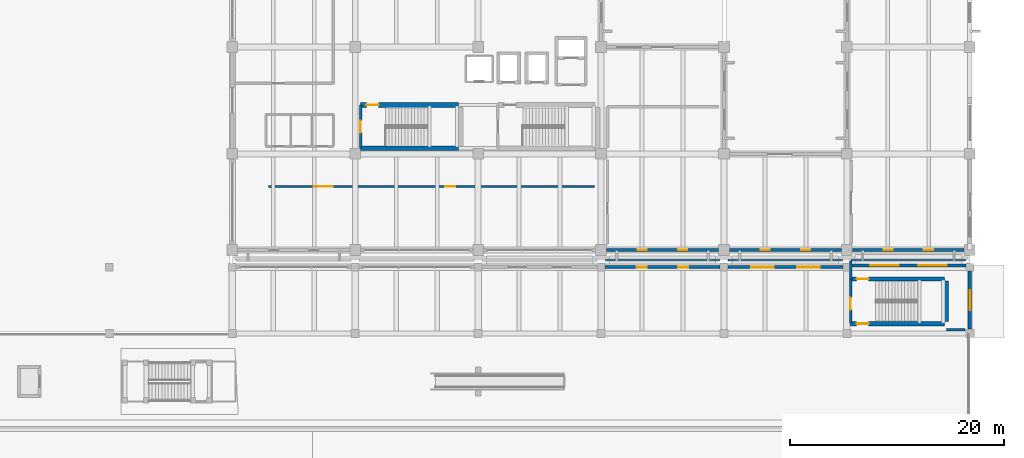
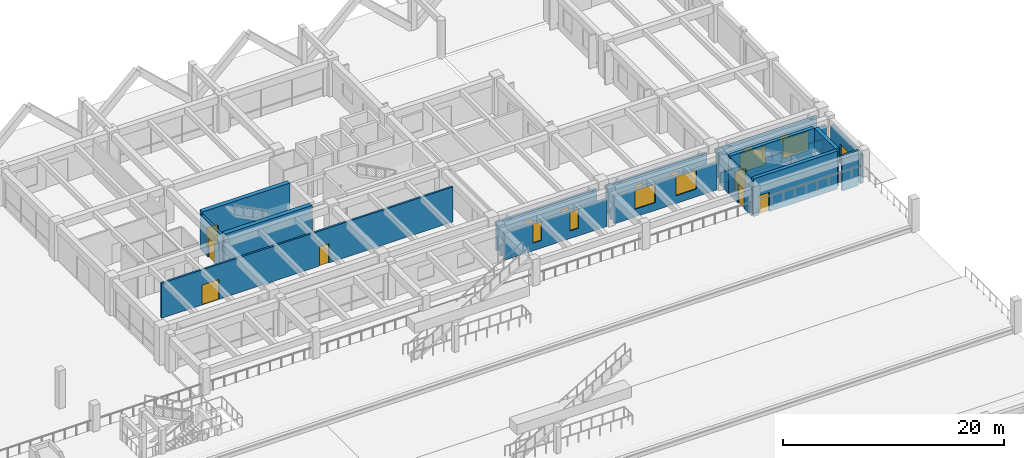
# One storey, part 90 of 109: 20 walls, 12 windows, 8 doors, 20 openings.
"""IFC4 building model written with IfcOpenShell, lengths in metres."""

from ifc_helpers import new_model, si_unit, direction, frame, frame_2d, origin, place, context, subcontext, project, spatial, rectangle, extrude, material, layer, layer_set, type_object, element, fill, save


model = new_model("IFC4")

# Units and contexts
model_context = context("Model", 3, precision=1e-05, world=origin(), true_north=direction((0.0, 1.0)))
body_context = subcontext(model_context, "Body", "Model", "MODEL_VIEW")
ifc_project = project(units=[si_unit("LENGTHUNIT", "METRE"), si_unit("AREAUNIT", "SQUARE_METRE"), si_unit("VOLUMEUNIT", "CUBIC_METRE"), si_unit("PLANEANGLEUNIT", "RADIAN"), si_unit("MASSUNIT", "GRAM", prefix="KILO")], contexts=[model_context])

# Site, building, storey
site_placement = place(None, origin())
site = spatial("IfcSite", under=ifc_project, at=site_placement, CompositionType="ELEMENT")
building_placement = place(site_placement, origin())
building = spatial("IfcBuilding", under=site, at=building_placement, Name="Ologun Quay Terminus", CompositionType="ELEMENT")
storey_placement = place(building_placement, origin())
storey = spatial("IfcBuildingStorey", under=building, at=storey_placement, Name="L00", CompositionType="ELEMENT", Elevation=0.0)

# Wall, openings, doors
ifc_material_1 = material(Name="Concrete C40/50", Category="concrete")
ifc_layer_1 = layer(ifc_material_1, 0.199951171875)
ifc_layer_set_1 = layer_set([ifc_layer_1], Name="Concrete C40/50")
wall_type_1 = type_object("IfcWallType", Name="Corridor Fire-Rated Partition 200", PredefinedType="PARTITIONING", material=ifc_layer_set_1)
wall_1_placement = place(storey_placement, frame((118.39990234375, 91.75, 0.0), z_axis=(0.0, 0.0, 1.0), x_axis=(1.0, 0.0, 0.0)))
wall_1 = element("IfcWall", 1, at=wall_1_placement, inside=storey, type_object=wall_type_1, Name="PW-02 Partition ECor-S", PredefinedType="PARTITIONING", context=body_context, shape_type="SweptSolid", body=[
    extrude(rectangle(XDim=30.5, YDim=0.199951171875, at=frame_2d((15.25, 0.0))), origin(), (0.0, 0.0, 1.0), 3.8798828125),
])
opening_1_placement = place(wall_1_placement, frame((4.199951171875, 0.0, 0.0)))
opening_1 = element("IfcOpeningElement", 2, at=opening_1_placement, cuts=wall_1, Name="Opening ID-174", PredefinedType="OPENING", context=body_context, shape_type="SweptSolid", body=[
    extrude(rectangle(XDim=1.800048828125, YDim=2.199951171875, at=frame_2d((0.89990234375, 1.10009765625))), frame((0.0, 0.10986328125, 0.0), z_axis=(0.0, -1.0, 0.0), x_axis=(1.0, 0.0, 0.0)), (0.0, 0.0, 1.0), 0.219970703125),
])
opening_2_placement = place(wall_1_placement, frame((16.5, 0.0, 0.0)))
opening_2 = element("IfcOpeningElement", 3, at=opening_2_placement, cuts=wall_1, Name="Opening ID-175", PredefinedType="OPENING", context=body_context, shape_type="SweptSolid", body=[
    extrude(rectangle(XDim=0.97998046875, YDim=2.14990234375, at=frame_2d((0.489990234375, 1.074951171875))), frame((0.0, 0.10986328125, 0.0), z_axis=(0.0, -1.0, 0.0), x_axis=(1.0, 0.0, 0.0)), (0.0, 0.0, 1.0), 0.219970703125),
])
ifc_material_2 = material(Name="Steel S355", Category="steel")
door_type_1 = type_object("IfcDoorType", Name="Corridor Compartment Pair 1800x2200", OperationType="DOUBLE_DOOR_SINGLE_SWING", PredefinedType="DOOR", material=ifc_material_2)
door_1_placement = place(opening_1_placement, origin())
door_1 = element("IfcDoor", 4, at=door_1_placement, inside=storey, type_object=door_type_1, Name="FD-03 Door ID-174", OperationType="DOUBLE_DOOR_SINGLE_SWING", OverallHeight=2.199951171875, OverallWidth=1.800048828125, PredefinedType="DOOR", context=body_context, shape_type="SweptSolid", body=[
    extrude(rectangle(XDim=1.800048828125, YDim=2.199951171875, at=frame_2d((0.89990234375, 1.10009765625))), frame((0.0, 0.02490234375, 0.0), z_axis=(0.0, -1.0, 0.0), x_axis=(1.0, 0.0, 0.0)), (0.0, 0.0, 1.0), 0.050048828125),
])
fill(opening_1, door_1)
ifc_material_3 = material(Name="Timber Hardwood", Category="wood")
door_type_2 = type_object("IfcDoorType", Name="Operations Room Acoustic Leaf 980x2150", OperationType="SINGLE_SWING_LEFT", PredefinedType="DOOR", material=ifc_material_3)
door_2_placement = place(opening_2_placement, origin())
door_2 = element("IfcDoor", 5, at=door_2_placement, inside=storey, type_object=door_type_2, Name="ID-01 Door ID-175", OperationType="SINGLE_SWING_LEFT", OverallHeight=2.14990234375, OverallWidth=0.97998046875, PredefinedType="DOOR", context=body_context, shape_type="SweptSolid", body=[
    extrude(rectangle(XDim=0.97998046875, YDim=2.14990234375, at=frame_2d((0.489990234375, 1.074951171875))), frame((0.0, 0.02490234375, 0.0), z_axis=(0.0, -1.0, 0.0), x_axis=(1.0, 0.0, 0.0)), (0.0, 0.0, 1.0), 0.050048828125),
])
fill(opening_2, door_2)

# Wall
ifc_material_4 = material(Name="Concrete C45/55", Category="concrete")
ifc_layer_2 = layer(ifc_material_4, 0.449951171875)
ifc_layer_set_2 = layer_set([ifc_layer_2], Name="Concrete C45/55")
wall_type_2 = type_object("IfcWallType", Name="Coupled Wing Primary Core Shear Wall 450", PredefinedType="SHEAR", material=ifc_layer_set_2)
wall_2_placement = place(storey_placement, frame((127.0, 95.324951171875, 0.0), z_axis=(0.0, 0.0, 1.0), x_axis=(1.0, 0.0, 0.0)))
element("IfcWall", 6, at=wall_2_placement, inside=storey, type_object=wall_type_2, Name="EC1 Core South Shear Wall L00", PredefinedType="SHEAR", context=body_context, shape_type="SweptSolid", body=[
    extrude(rectangle(XDim=9.14990234375, YDim=0.449951171875, at=frame_2d((4.574951171875, 0.0))), origin(), (0.0, 0.0, 1.0), 4.199951171875),
])

# Wall, opening, door
wall_3_placement = place(storey_placement, frame((127.0, 99.375, 0.0), z_axis=(0.0, 0.0, 1.0), x_axis=(1.0, 0.0, 0.0)))
wall_3 = element("IfcWall", 7, at=wall_3_placement, inside=storey, type_object=wall_type_2, Name="EC1 Core North Shear Wall L00", PredefinedType="SHEAR", context=body_context, shape_type="SweptSolid", body=[
    extrude(rectangle(XDim=9.14990234375, YDim=0.449951171875, at=frame_2d((4.574951171875, 0.0))), origin(), (0.0, 0.0, 1.0), 4.199951171875),
])
opening_3_placement = place(wall_3_placement, frame((0.550048828125, 0.0, 0.0)))
opening_3 = element("IfcOpeningElement", 8, at=opening_3_placement, cuts=wall_3, Name="Opening ID-166", PredefinedType="OPENING", context=body_context, shape_type="SweptSolid", body=[
    extrude(rectangle(XDim=1.1298828125, YDim=2.14990234375, at=frame_2d((0.56494140625, 1.074951171875))), frame((0.0, 0.23486328125, 0.0), z_axis=(0.0, -1.0, 0.0), x_axis=(1.0, 0.0, 0.0)), (0.0, 0.0, 1.0), 0.469970703125),
])
ifc_material_5 = material(Name="Steel S355", Category="steel")
door_type_3 = type_object("IfcDoorType", Name="Stairwell Fire Escape Door 1130x2150", OperationType="SINGLE_SWING_LEFT", PredefinedType="DOOR", material=ifc_material_5)
door_3_placement = place(opening_3_placement, origin())
door_3 = element("IfcDoor", 9, at=door_3_placement, inside=storey, type_object=door_type_3, Name="FD-01 Door ID-166", OperationType="SINGLE_SWING_LEFT", OverallHeight=2.14990234375, OverallWidth=1.1298828125, PredefinedType="DOOR", context=body_context, shape_type="SweptSolid", body=[
    extrude(rectangle(XDim=1.1298828125, YDim=2.14990234375, at=frame_2d((0.56494140625, 1.074951171875))), frame((0.0, 0.02490234375, 0.0), z_axis=(0.0, -1.0, 0.0), x_axis=(1.0, 0.0, 0.0)), (0.0, 0.0, 1.0), 0.050048828125),
])
fill(opening_3, door_3)

# Wall, openings, windows
ifc_material_6 = material(Name="Concrete C40/50", Category="concrete")
ifc_layer_3 = layer(ifc_material_6, 0.280029296875)
ifc_layer_set_3 = layer_set([ifc_layer_3], Name="Concrete C40/50")
wall_type_3 = type_object("IfcWallType", Name="Courtyard Wing Spandrel Concrete Wall 280", PredefinedType="SOLIDWALL", material=ifc_layer_set_3)
wall_4_placement = place(storey_placement, frame((149.8701171875, 84.199951171875, 0.0), z_axis=(0.0, 0.0, 1.0), x_axis=(1.0, 0.0, 0.0)))
wall_4 = element("IfcWall", 10, at=wall_4_placement, inside=storey, type_object=wall_type_3, Name="EW-02 Facade Wall WEW-NGW-L00-14", PredefinedType="SOLIDWALL", context=body_context, shape_type="SweptSolid", body=[
    extrude(rectangle(XDim=10.759765625, YDim=0.280029296875, at=frame_2d((5.3798828125, 0.0))), origin(), (0.0, 0.0, 1.0), 3.0),
])
opening_4_placement = place(wall_4_placement, frame((2.98681640625, 0.0, 0.840087890625)))
opening_4 = element("IfcOpeningElement", 11, at=opening_4_placement, cuts=wall_4, Name="Opening WN-118", PredefinedType="OPENING", context=body_context, shape_type="SweptSolid", body=[
    extrude(rectangle(XDim=0.89990234375, YDim=2.10009765625, at=frame_2d((0.449951171875, 1.050048828125))), frame((0.0, 0.14990234375, 0.0), z_axis=(0.0, -1.0, 0.0), x_axis=(1.0, 0.0, 0.0)), (0.0, 0.0, 1.0), 0.300048828125),
])
opening_5_placement = place(wall_4_placement, frame((6.873291015625, 0.0, 0.840087890625)))
opening_5 = element("IfcOpeningElement", 12, at=opening_5_placement, cuts=wall_4, Name="Opening WN-119", PredefinedType="OPENING", context=body_context, shape_type="SweptSolid", body=[
    extrude(rectangle(XDim=0.89990234375, YDim=2.10009765625, at=frame_2d((0.449951171875, 1.050048828125))), frame((0.0, 0.14990234375, 0.0), z_axis=(0.0, -1.0, 0.0), x_axis=(1.0, 0.0, 0.0)), (0.0, 0.0, 1.0), 0.300048828125),
])
ifc_material_7 = material(Name="Glass", Category="glass")
window_type_1 = type_object("IfcWindowType", Name="Stairwell Daylight Slot Window 900x2100", PartitioningType="SINGLE_PANEL", PredefinedType="WINDOW", material=ifc_material_7)
window_1_placement = place(opening_4_placement, origin())
window_1 = element("IfcWindow", 13, at=window_1_placement, inside=storey, type_object=window_type_1, Name="W-29 Window WN-118", OverallHeight=2.10009765625, OverallWidth=0.89990234375, PartitioningType="SINGLE_PANEL", PredefinedType="WINDOW", context=body_context, shape_type="SweptSolid", body=[
    extrude(rectangle(XDim=0.89990234375, YDim=2.10009765625, at=frame_2d((0.449951171875, 1.050048828125))), frame((0.0, 0.030029296875, 0.0), z_axis=(0.0, -1.0, 0.0), x_axis=(1.0, 0.0, 0.0)), (0.0, 0.0, 1.0), 0.06005859375),
])
fill(opening_4, window_1)
window_2_placement = place(opening_5_placement, origin())
window_2 = element("IfcWindow", 14, at=window_2_placement, inside=storey, type_object=window_type_1, Name="W-29 Window WN-119", OverallHeight=2.10009765625, OverallWidth=0.89990234375, PartitioningType="SINGLE_PANEL", PredefinedType="WINDOW", context=body_context, shape_type="SweptSolid", body=[
    extrude(rectangle(XDim=0.89990234375, YDim=2.10009765625, at=frame_2d((0.449951171875, 1.050048828125))), frame((0.0, 0.030029296875, 0.0), z_axis=(0.0, -1.0, 0.0), x_axis=(1.0, 0.0, 0.0)), (0.0, 0.0, 1.0), 0.06005859375),
])
fill(opening_5, window_2)

wall_5_placement = place(storey_placement, frame((161.3701171875, 84.199951171875, 0.0), z_axis=(0.0, 0.0, 1.0), x_axis=(1.0, 0.0, 0.0)))
wall_5 = element("IfcWall", 15, at=wall_5_placement, inside=storey, type_object=wall_type_3, Name="EW-02 Facade Wall WEW-NGW-L00-15", PredefinedType="SOLIDWALL", context=body_context, shape_type="SweptSolid", body=[
    extrude(rectangle(XDim=10.759765625, YDim=0.280029296875, at=frame_2d((5.3798828125, 0.0))), origin(), (0.0, 0.0, 1.0), 3.0),
])
opening_6_placement = place(wall_5_placement, frame((2.17333984375, 0.0, 0.85009765625)))
opening_6 = element("IfcOpeningElement", 16, at=opening_6_placement, cuts=wall_5, Name="Opening WN-120", PredefinedType="OPENING", context=body_context, shape_type="SweptSolid", body=[
    extrude(rectangle(XDim=2.1201171875, YDim=2.080078125, at=frame_2d((1.06005859375, 1.0400390625))), frame((0.0, 0.14990234375, 0.0), z_axis=(0.0, -1.0, 0.0), x_axis=(1.0, 0.0, 0.0)), (0.0, 0.0, 1.0), 0.300048828125),
])
opening_7_placement = place(wall_5_placement, frame((6.466796875, 0.0, 0.85009765625)))
opening_7 = element("IfcOpeningElement", 17, at=opening_7_placement, cuts=wall_5, Name="Opening WN-121", PredefinedType="OPENING", context=body_context, shape_type="SweptSolid", body=[
    extrude(rectangle(XDim=2.1201171875, YDim=2.080078125, at=frame_2d((1.06005859375, 1.0400390625))), frame((0.0, 0.14990234375, 0.0), z_axis=(0.0, -1.0, 0.0), x_axis=(1.0, 0.0, 0.0)), (0.0, 0.0, 1.0), 0.300048828125),
])
ifc_material_8 = material(Name="Glass", Category="glass")
window_type_2 = type_object("IfcWindowType", Name="Courtyard Gallery Tall Window 2120x2080", PartitioningType="SINGLE_PANEL", PredefinedType="WINDOW", material=ifc_material_8)
window_3_placement = place(opening_6_placement, origin())
window_3 = element("IfcWindow", 18, at=window_3_placement, inside=storey, type_object=window_type_2, Name="W-39 Window WN-120", OverallHeight=2.080078125, OverallWidth=2.1201171875, PartitioningType="SINGLE_PANEL", PredefinedType="WINDOW", context=body_context, shape_type="SweptSolid", body=[
    extrude(rectangle(XDim=2.1201171875, YDim=2.080078125, at=frame_2d((1.06005859375, 1.0400390625))), frame((0.0, 0.030029296875, 0.0), z_axis=(0.0, -1.0, 0.0), x_axis=(1.0, 0.0, 0.0)), (0.0, 0.0, 1.0), 0.06005859375),
])
fill(opening_6, window_3)
window_4_placement = place(opening_7_placement, origin())
window_4 = element("IfcWindow", 19, at=window_4_placement, inside=storey, type_object=window_type_2, Name="W-39 Window WN-121", OverallHeight=2.080078125, OverallWidth=2.1201171875, PartitioningType="SINGLE_PANEL", PredefinedType="WINDOW", context=body_context, shape_type="SweptSolid", body=[
    extrude(rectangle(XDim=2.1201171875, YDim=2.080078125, at=frame_2d((1.06005859375, 1.0400390625))), frame((0.0, 0.030029296875, 0.0), z_axis=(0.0, -1.0, 0.0), x_axis=(1.0, 0.0, 0.0)), (0.0, 0.0, 1.0), 0.06005859375),
])
fill(opening_7, window_4)

wall_6_placement = place(storey_placement, frame((172.85009765625, 84.35009765625, 0.0), z_axis=(0.0, 0.0, 1.0), x_axis=(1.0, 0.0, 0.0)))
wall_6 = element("IfcWall", 20, at=wall_6_placement, inside=storey, type_object=wall_type_3, Name="EW-02 Facade Wall WEW-NGW-L00-16", PredefinedType="SOLIDWALL", context=body_context, shape_type="SweptSolid", body=[
    extrude(rectangle(XDim=10.7998046875, YDim=0.280029296875, at=frame_2d((5.39990234375, 0.0))), origin(), (0.0, 0.0, 1.0), 3.0),
])
opening_8_placement = place(wall_6_placement, frame((1.813232421875, 0.0, 0.820068359375)))
opening_8 = element("IfcOpeningElement", 21, at=opening_8_placement, cuts=wall_6, Name="Opening WN-122", PredefinedType="OPENING", context=body_context, shape_type="SweptSolid", body=[
    extrude(rectangle(XDim=2.679931640625, YDim=2.1201171875, at=frame_2d((1.33984375, 1.06005859375))), frame((0.0, 0.14990234375, 0.0), z_axis=(0.0, -1.0, 0.0), x_axis=(1.0, 0.0, 0.0)), (0.0, 0.0, 1.0), 0.300048828125),
])
opening_9_placement = place(wall_6_placement, frame((6.306640625, 0.0, 0.820068359375)))
opening_9 = element("IfcOpeningElement", 22, at=opening_9_placement, cuts=wall_6, Name="Opening WN-123", PredefinedType="OPENING", context=body_context, shape_type="SweptSolid", body=[
    extrude(rectangle(XDim=2.679931640625, YDim=2.1201171875, at=frame_2d((1.33984375, 1.06005859375))), frame((0.0, 0.14990234375, 0.0), z_axis=(0.0, -1.0, 0.0), x_axis=(1.0, 0.0, 0.0)), (0.0, 0.0, 1.0), 0.300048828125),
])
ifc_material_9 = material(Name="Glass", Category="glass")
window_type_3 = type_object("IfcWindowType", Name="Courtyard Arcade Display 2680x2120", PartitioningType="SINGLE_PANEL", PredefinedType="WINDOW", material=ifc_material_9)
window_5_placement = place(opening_8_placement, origin())
window_5 = element("IfcWindow", 23, at=window_5_placement, inside=storey, type_object=window_type_3, Name="W-45 Window WN-122", OverallHeight=2.1201171875, OverallWidth=2.679931640625, PartitioningType="SINGLE_PANEL", PredefinedType="WINDOW", context=body_context, shape_type="SweptSolid", body=[
    extrude(rectangle(XDim=2.679931640625, YDim=2.1201171875, at=frame_2d((1.33984375, 1.06005859375))), frame((0.0, 0.030029296875, 0.0), z_axis=(0.0, -1.0, 0.0), x_axis=(1.0, 0.0, 0.0)), (0.0, 0.0, 1.0), 0.06005859375),
])
fill(opening_8, window_5)
window_6_placement = place(opening_9_placement, origin())
window_6 = element("IfcWindow", 24, at=window_6_placement, inside=storey, type_object=window_type_3, Name="W-45 Window WN-123", OverallHeight=2.1201171875, OverallWidth=2.679931640625, PartitioningType="SINGLE_PANEL", PredefinedType="WINDOW", context=body_context, shape_type="SweptSolid", body=[
    extrude(rectangle(XDim=2.679931640625, YDim=2.1201171875, at=frame_2d((1.33984375, 1.06005859375))), frame((0.0, 0.030029296875, 0.0), z_axis=(0.0, -1.0, 0.0), x_axis=(1.0, 0.0, 0.0)), (0.0, 0.0, 1.0), 0.06005859375),
])
fill(opening_9, window_6)

wall_7_placement = place(storey_placement, frame((150.02001953125, 85.800048828125, 0.0), z_axis=(0.0, 0.0, 1.0), x_axis=(1.0, 0.0, 0.0)))
wall_7 = element("IfcWall", 25, at=wall_7_placement, inside=storey, type_object=wall_type_3, Name="EW-02 Facade Wall WEW-EW-L00-4", PredefinedType="SOLIDWALL", context=body_context, shape_type="SweptSolid", body=[
    extrude(rectangle(XDim=10.4599609375, YDim=0.280029296875, at=frame_2d((5.22998046875, 0.0))), origin(), (0.0, 0.0, 1.0), 3.14990234375),
])
opening_10_placement = place(wall_7_placement, frame((2.919921875, 0.0, 1.25)))
opening_10 = element("IfcOpeningElement", 26, at=opening_10_placement, cuts=wall_7, Name="Opening WN-337", PredefinedType="OPENING", context=body_context, shape_type="SweptSolid", body=[
    extrude(rectangle(XDim=0.85009765625, YDim=0.949951171875, at=frame_2d((0.425048828125, 0.47509765625))), frame((0.0, 0.14990234375, 0.0), z_axis=(0.0, -1.0, 0.0), x_axis=(1.0, 0.0, 0.0)), (0.0, 0.0, 1.0), 0.300048828125),
])
opening_11_placement = place(wall_7_placement, frame((6.68994140625, 0.0, 1.25)))
opening_11 = element("IfcOpeningElement", 27, at=opening_11_placement, cuts=wall_7, Name="Opening WN-338", PredefinedType="OPENING", context=body_context, shape_type="SweptSolid", body=[
    extrude(rectangle(XDim=0.85009765625, YDim=0.949951171875, at=frame_2d((0.425048828125, 0.47509765625))), frame((0.0, 0.14990234375, 0.0), z_axis=(0.0, -1.0, 0.0), x_axis=(1.0, 0.0, 0.0)), (0.0, 0.0, 1.0), 0.300048828125),
])
ifc_material_10 = material(Name="Glass", Category="glass")
window_type_4 = type_object("IfcWindowType", Name="Sanitary Frosted Louvre Window 850x950", PartitioningType="SINGLE_PANEL", PredefinedType="WINDOW", material=ifc_material_10)
window_7_placement = place(opening_10_placement, origin())
window_7 = element("IfcWindow", 28, at=window_7_placement, inside=storey, type_object=window_type_4, Name="W-30 Window WN-337", OverallHeight=0.949951171875, OverallWidth=0.85009765625, PartitioningType="SINGLE_PANEL", PredefinedType="WINDOW", context=body_context, shape_type="SweptSolid", body=[
    extrude(rectangle(XDim=0.85009765625, YDim=0.949951171875, at=frame_2d((0.425048828125, 0.47509765625))), frame((0.0, 0.030029296875, 0.0), z_axis=(0.0, -1.0, 0.0), x_axis=(1.0, 0.0, 0.0)), (0.0, 0.0, 1.0), 0.06005859375),
])
fill(opening_10, window_7)
window_8_placement = place(opening_11_placement, origin())
window_8 = element("IfcWindow", 29, at=window_8_placement, inside=storey, type_object=window_type_4, Name="W-30 Window WN-338", OverallHeight=0.949951171875, OverallWidth=0.85009765625, PartitioningType="SINGLE_PANEL", PredefinedType="WINDOW", context=body_context, shape_type="SweptSolid", body=[
    extrude(rectangle(XDim=0.85009765625, YDim=0.949951171875, at=frame_2d((0.425048828125, 0.47509765625))), frame((0.0, 0.030029296875, 0.0), z_axis=(0.0, -1.0, 0.0), x_axis=(1.0, 0.0, 0.0)), (0.0, 0.0, 1.0), 0.06005859375),
])
fill(opening_11, window_8)

wall_8_placement = place(storey_placement, frame((161.52001953125, 85.800048828125, 0.0), z_axis=(0.0, 0.0, 1.0), x_axis=(1.0, 0.0, 0.0)))
wall_8 = element("IfcWall", 30, at=wall_8_placement, inside=storey, type_object=wall_type_3, Name="EW-02 Facade Wall WEW-EW-L00-5", PredefinedType="SOLIDWALL", context=body_context, shape_type="SweptSolid", body=[
    extrude(rectangle(XDim=10.4599609375, YDim=0.280029296875, at=frame_2d((5.22998046875, 0.0))), origin(), (0.0, 0.0, 1.0), 3.14990234375),
])
opening_12_placement = place(wall_8_placement, frame((2.919921875, 0.0, 1.25)))
opening_12 = element("IfcOpeningElement", 31, at=opening_12_placement, cuts=wall_8, Name="Opening WN-339", PredefinedType="OPENING", context=body_context, shape_type="SweptSolid", body=[
    extrude(rectangle(XDim=0.85009765625, YDim=0.949951171875, at=frame_2d((0.425048828125, 0.47509765625))), frame((0.0, 0.14990234375, 0.0), z_axis=(0.0, -1.0, 0.0), x_axis=(1.0, 0.0, 0.0)), (0.0, 0.0, 1.0), 0.300048828125),
])
opening_13_placement = place(wall_8_placement, frame((6.68994140625, 0.0, 1.25)))
opening_13 = element("IfcOpeningElement", 32, at=opening_13_placement, cuts=wall_8, Name="Opening WN-340", PredefinedType="OPENING", context=body_context, shape_type="SweptSolid", body=[
    extrude(rectangle(XDim=0.85009765625, YDim=0.949951171875, at=frame_2d((0.425048828125, 0.47509765625))), frame((0.0, 0.14990234375, 0.0), z_axis=(0.0, -1.0, 0.0), x_axis=(1.0, 0.0, 0.0)), (0.0, 0.0, 1.0), 0.300048828125),
])
window_9_placement = place(opening_12_placement, origin())
window_9 = element("IfcWindow", 33, at=window_9_placement, inside=storey, type_object=window_type_4, Name="W-30 Window WN-339", OverallHeight=0.949951171875, OverallWidth=0.85009765625, PartitioningType="SINGLE_PANEL", PredefinedType="WINDOW", context=body_context, shape_type="SweptSolid", body=[
    extrude(rectangle(XDim=0.85009765625, YDim=0.949951171875, at=frame_2d((0.425048828125, 0.47509765625))), frame((0.0, 0.030029296875, 0.0), z_axis=(0.0, -1.0, 0.0), x_axis=(1.0, 0.0, 0.0)), (0.0, 0.0, 1.0), 0.06005859375),
])
fill(opening_12, window_9)
window_10_placement = place(opening_13_placement, origin())
window_10 = element("IfcWindow", 34, at=window_10_placement, inside=storey, type_object=window_type_4, Name="W-30 Window WN-340", OverallHeight=0.949951171875, OverallWidth=0.85009765625, PartitioningType="SINGLE_PANEL", PredefinedType="WINDOW", context=body_context, shape_type="SweptSolid", body=[
    extrude(rectangle(XDim=0.85009765625, YDim=0.949951171875, at=frame_2d((0.425048828125, 0.47509765625))), frame((0.0, 0.030029296875, 0.0), z_axis=(0.0, -1.0, 0.0), x_axis=(1.0, 0.0, 0.0)), (0.0, 0.0, 1.0), 0.06005859375),
])
fill(opening_13, window_10)

wall_9_placement = place(storey_placement, frame((173.02001953125, 85.800048828125, 0.0), z_axis=(0.0, 0.0, 1.0), x_axis=(1.0, 0.0, 0.0)))
wall_9 = element("IfcWall", 35, at=wall_9_placement, inside=storey, type_object=wall_type_3, Name="EW-02 Facade Wall WEW-EW-L00-6", PredefinedType="SOLIDWALL", context=body_context, shape_type="SweptSolid", body=[
    extrude(rectangle(XDim=10.4599609375, YDim=0.280029296875, at=frame_2d((5.22998046875, 0.0))), origin(), (0.0, 0.0, 1.0), 3.14990234375),
])
opening_14_placement = place(wall_9_placement, frame((2.919921875, 0.0, 1.25)))
opening_14 = element("IfcOpeningElement", 36, at=opening_14_placement, cuts=wall_9, Name="Opening WN-341", PredefinedType="OPENING", context=body_context, shape_type="SweptSolid", body=[
    extrude(rectangle(XDim=0.85009765625, YDim=0.949951171875, at=frame_2d((0.425048828125, 0.47509765625))), frame((0.0, 0.14990234375, 0.0), z_axis=(0.0, -1.0, 0.0), x_axis=(1.0, 0.0, 0.0)), (0.0, 0.0, 1.0), 0.300048828125),
])
opening_15_placement = place(wall_9_placement, frame((6.68994140625, 0.0, 1.25)))
opening_15 = element("IfcOpeningElement", 37, at=opening_15_placement, cuts=wall_9, Name="Opening WN-342", PredefinedType="OPENING", context=body_context, shape_type="SweptSolid", body=[
    extrude(rectangle(XDim=0.85009765625, YDim=0.949951171875, at=frame_2d((0.425048828125, 0.47509765625))), frame((0.0, 0.14990234375, 0.0), z_axis=(0.0, -1.0, 0.0), x_axis=(1.0, 0.0, 0.0)), (0.0, 0.0, 1.0), 0.300048828125),
])
window_11_placement = place(opening_14_placement, origin())
window_11 = element("IfcWindow", 38, at=window_11_placement, inside=storey, type_object=window_type_4, Name="W-30 Window WN-341", OverallHeight=0.949951171875, OverallWidth=0.85009765625, PartitioningType="SINGLE_PANEL", PredefinedType="WINDOW", context=body_context, shape_type="SweptSolid", body=[
    extrude(rectangle(XDim=0.85009765625, YDim=0.949951171875, at=frame_2d((0.425048828125, 0.47509765625))), frame((0.0, 0.030029296875, 0.0), z_axis=(0.0, -1.0, 0.0), x_axis=(1.0, 0.0, 0.0)), (0.0, 0.0, 1.0), 0.06005859375),
])
fill(opening_14, window_11)
window_12_placement = place(opening_15_placement, origin())
window_12 = element("IfcWindow", 39, at=window_12_placement, inside=storey, type_object=window_type_4, Name="W-30 Window WN-342", OverallHeight=0.949951171875, OverallWidth=0.85009765625, PartitioningType="SINGLE_PANEL", PredefinedType="WINDOW", context=body_context, shape_type="SweptSolid", body=[
    extrude(rectangle(XDim=0.85009765625, YDim=0.949951171875, at=frame_2d((0.425048828125, 0.47509765625))), frame((0.0, 0.030029296875, 0.0), z_axis=(0.0, -1.0, 0.0), x_axis=(1.0, 0.0, 0.0)), (0.0, 0.0, 1.0), 0.06005859375),
])
fill(opening_15, window_12)

# Wall, opening, door
ifc_material_11 = material(Name="Concrete C40/50", Category="concrete")
ifc_layer_4 = layer(ifc_material_11, 0.239990234375)
ifc_layer_set_4 = layer_set([ifc_layer_4], Name="Concrete C40/50")
wall_type_4 = type_object("IfcWallType", Name="Fire Compartment Blockwork Wall 240", PredefinedType="SOLIDWALL", material=ifc_layer_set_4)
wall_10_placement = place(storey_placement, frame((127.0, 95.330078125, 0.0), z_axis=(0.0, 0.0, 1.0), x_axis=(0.0, 1.0, 0.0)))
wall_10 = element("IfcWall", 40, at=wall_10_placement, inside=storey, type_object=wall_type_4, Name="PW-01 Partition EStair1-W", PredefinedType="SOLIDWALL", context=body_context, shape_type="SweptSolid", body=[
    extrude(rectangle(XDim=4.0400390625, YDim=0.239990234375, at=frame_2d((2.02001953125, 0.0))), origin(), (0.0, 0.0, 1.0), 3.8798828125),
])
opening_16_placement = place(wall_10_placement, frame((1.449951171875, 0.0, 0.0)))
opening_16 = element("IfcOpeningElement", 41, at=opening_16_placement, cuts=wall_10, Name="Opening ID-165", PredefinedType="OPENING", context=body_context, shape_type="SweptSolid", body=[
    extrude(rectangle(XDim=1.1298828125, YDim=2.14990234375, at=frame_2d((0.56494140625, 1.074951171875))), frame((0.0, 0.1298828125, 0.0), z_axis=(0.0, -1.0, 0.0), x_axis=(1.0, 0.0, 0.0)), (0.0, 0.0, 1.0), 0.260009765625),
])
door_4_placement = place(opening_16_placement, origin())
door_4 = element("IfcDoor", 42, at=door_4_placement, inside=storey, type_object=door_type_3, Name="FD-01 Door ID-165", OperationType="SINGLE_SWING_LEFT", OverallHeight=2.14990234375, OverallWidth=1.1298828125, PredefinedType="DOOR", context=body_context, shape_type="SweptSolid", body=[
    extrude(rectangle(XDim=1.1298828125, YDim=2.14990234375, at=frame_2d((0.56494140625, 1.074951171875))), frame((0.0, 0.02490234375, 0.0), z_axis=(0.0, -1.0, 0.0), x_axis=(1.0, 0.0, 0.0)), (0.0, 0.0, 1.0), 0.050048828125),
])
fill(opening_16, door_4)

wall_11_placement = place(storey_placement, frame((172.85009765625, 78.919921875, 0.0), z_axis=(0.0, 0.0, 1.0), x_axis=(0.0, 1.0, 0.0)))
wall_11 = element("IfcWall", 43, at=wall_11_placement, inside=storey, type_object=wall_type_4, Name="PW-01 Partition ST-NG2-W", PredefinedType="SOLIDWALL", context=body_context, shape_type="SweptSolid", body=[
    extrude(rectangle(XDim=4.16015625, YDim=0.239990234375, at=frame_2d((2.080078125, 0.0))), origin(), (0.0, 0.0, 1.0), 3.8798828125),
])
opening_17_placement = place(wall_11_placement, frame((1.300048828125, 0.0, 0.0)))
opening_17 = element("IfcOpeningElement", 44, at=opening_17_placement, cuts=wall_11, Name="Opening ID-278", PredefinedType="OPENING", context=body_context, shape_type="SweptSolid", body=[
    extrude(rectangle(XDim=1.1298828125, YDim=2.14990234375, at=frame_2d((0.56494140625, 1.074951171875))), frame((0.0, 0.1298828125, 0.0), z_axis=(0.0, -1.0, 0.0), x_axis=(1.0, 0.0, 0.0)), (0.0, 0.0, 1.0), 0.260009765625),
])
door_5_placement = place(opening_17_placement, origin())
door_5 = element("IfcDoor", 45, at=door_5_placement, inside=storey, type_object=door_type_3, Name="FD-01 Door ID-278", OperationType="SINGLE_SWING_LEFT", OverallHeight=2.14990234375, OverallWidth=1.1298828125, PredefinedType="DOOR", context=body_context, shape_type="SweptSolid", body=[
    extrude(rectangle(XDim=1.1298828125, YDim=2.14990234375, at=frame_2d((0.56494140625, 1.074951171875))), frame((0.0, 0.02490234375, 0.0), z_axis=(0.0, -1.0, 0.0), x_axis=(1.0, 0.0, 0.0)), (0.0, 0.0, 1.0), 0.050048828125),
])
fill(opening_17, door_5)

# Walls
wall_12_placement = place(storey_placement, frame((172.85009765625, 83.090087890625, 0.0), z_axis=(0.0, 0.0, 1.0), x_axis=(0.0, 1.0, 0.0)))
element("IfcWall", 46, at=wall_12_placement, inside=storey, type_object=wall_type_4, Name="PW-01 Partition L00-EXPNG2-W", PredefinedType="SOLIDWALL", context=body_context, shape_type="SweptSolid", body=[
    extrude(rectangle(XDim=1.669921875, YDim=0.239990234375, at=frame_2d((0.8349609375, 0.0))), origin(), (0.0, 0.0, 1.0), 3.8798828125),
])
wall_13_placement = place(storey_placement, frame((181.840087890625, 78.35009765625, 0.0), z_axis=(0.0, 0.0, 1.0), x_axis=(1.0, 0.0, 0.0)))
element("IfcWall", 47, at=wall_13_placement, inside=storey, type_object=wall_type_4, Name="PW-01 Partition L00-EXPNG2-S", PredefinedType="SOLIDWALL", context=body_context, shape_type="SweptSolid", body=[
    extrude(rectangle(XDim=1.7099609375, YDim=0.239990234375, at=frame_2d((0.85498046875, 0.0))), origin(), (0.0, 0.0, 1.0), 3.8798828125),
])
ifc_material_12 = material(Name="Concrete C40/50", Category="concrete")
ifc_layer_5 = layer(ifc_material_12, 0.18994140625)
ifc_layer_set_5 = layer_set([ifc_layer_5], Name="Concrete C40/50")
wall_type_5 = type_object("IfcWallType", Name="Movement Joint Weathering Upstand 190", PredefinedType="PARAPET", material=ifc_layer_set_5)
for number, where, z_axis, x_axis, name in (
    (48, (149.89990234375, 84.860107421875, 0.0), (0.0, 0.0, 1.0), (1.0, 0.0, 0.0), "EW-07 Movement Joint Upstand L00-14"),
    (49, (161.39990234375, 84.860107421875, 0.0), (0.0, 0.0, 1.0), (1.0, 0.0, 0.0), "EW-07 Movement Joint Upstand L00-15"),
    (50, (172.89990234375, 84.860107421875, 0.0), (0.0, 0.0, 1.0), (1.0, 0.0, 0.0), "EW-07 Movement Joint Upstand L00-16"),
):
    element("IfcWall", number, at=place(storey_placement, frame(where, z_axis=z_axis, x_axis=x_axis)), inside=storey, type_object=wall_type_5, Name=name, PredefinedType="PARAPET", context=body_context, shape_type="SweptSolid", body=[
        extrude(rectangle(XDim=10.7001953125, YDim=0.18994140625, at=frame_2d((5.35009765625, 0.0))), origin(), (0.0, 0.0, 1.0), 1.14990234375),
    ])

# Wall, opening, door
ifc_material_13 = material(Name="Concrete C40/50", Category="concrete")
ifc_layer_6 = layer(ifc_material_13, 0.3798828125)
ifc_layer_set_6 = layer_set([ifc_layer_6], Name="Concrete C40/50")
wall_type_6 = type_object("IfcWallType", Name="Platform Spine Shear Wall 380", PredefinedType="SHEAR", material=ifc_layer_set_6)
wall_14_placement = place(storey_placement, frame((172.85009765625, 78.909912109375, 0.0), z_axis=(0.0, 0.0, 1.0), x_axis=(1.0, 0.0, 0.0)))
wall_14 = element("IfcWall", 51, at=wall_14_placement, inside=storey, type_object=wall_type_6, Name="Station Core 6 S Shear Wall L00", PredefinedType="SHEAR", context=body_context, shape_type="SweptSolid", body=[
    extrude(rectangle(XDim=8.7998046875, YDim=0.3798828125, at=frame_2d((4.39990234375, 0.0))), origin(), (0.0, 0.0, 1.0), 4.199951171875),
])
opening_18_placement = place(wall_14_placement, frame((0.550048828125, 0.0, 0.0)))
opening_18 = element("IfcOpeningElement", 52, at=opening_18_placement, cuts=wall_14, Name="Opening ID-279", PredefinedType="OPENING", context=body_context, shape_type="SweptSolid", body=[
    extrude(rectangle(XDim=1.1298828125, YDim=2.14990234375, at=frame_2d((0.56494140625, 1.074951171875))), frame((0.0, 0.199951171875, 0.0), z_axis=(0.0, -1.0, 0.0), x_axis=(1.0, 0.0, 0.0)), (0.0, 0.0, 1.0), 0.39990234375),
])
door_6_placement = place(opening_18_placement, frame((0.56494140625, 0.0, 0.0), z_axis=(0.0, 0.0, 1.0), x_axis=(-1.0, 0.0, 0.0)))
door_6 = element("IfcDoor", 53, at=door_6_placement, inside=storey, type_object=door_type_3, Name="FD-01 Door ID-279", OperationType="SINGLE_SWING_LEFT", OverallHeight=2.14990234375, OverallWidth=1.1298828125, PredefinedType="DOOR", context=body_context, shape_type="SweptSolid", body=[
    extrude(rectangle(XDim=1.1298828125, YDim=2.14990234375, at=frame_2d((0.0, 1.074951171875))), frame((0.0, 0.02490234375, 0.0), z_axis=(0.0, -1.0, 0.0), x_axis=(1.0, 0.0, 0.0)), (0.0, 0.0, 1.0), 0.050048828125),
])
fill(opening_18, door_6)

wall_15_placement = place(storey_placement, frame((172.85009765625, 83.090087890625, 0.0), z_axis=(0.0, 0.0, 1.0), x_axis=(1.0, 0.0, 0.0)))
wall_15 = element("IfcWall", 54, at=wall_15_placement, inside=storey, type_object=wall_type_6, Name="Station Core 6 N Shear Wall L00", PredefinedType="SHEAR", context=body_context, shape_type="SweptSolid", body=[
    extrude(rectangle(XDim=8.7998046875, YDim=0.3798828125, at=frame_2d((4.39990234375, 0.0))), origin(), (0.0, 0.0, 1.0), 4.199951171875),
])
opening_19_placement = place(wall_15_placement, frame((0.550048828125, 0.0, 0.0)))
opening_19 = element("IfcOpeningElement", 55, at=opening_19_placement, cuts=wall_15, Name="Opening ID-280", PredefinedType="OPENING", context=body_context, shape_type="SweptSolid", body=[
    extrude(rectangle(XDim=1.1298828125, YDim=2.14990234375, at=frame_2d((0.56494140625, 1.074951171875))), frame((0.0, 0.199951171875, 0.0), z_axis=(0.0, -1.0, 0.0), x_axis=(1.0, 0.0, 0.0)), (0.0, 0.0, 1.0), 0.39990234375),
])
door_7_placement = place(opening_19_placement, origin())
door_7 = element("IfcDoor", 56, at=door_7_placement, inside=storey, type_object=door_type_3, Name="FD-01 Door ID-280", OperationType="SINGLE_SWING_LEFT", OverallHeight=2.14990234375, OverallWidth=1.1298828125, PredefinedType="DOOR", context=body_context, shape_type="SweptSolid", body=[
    extrude(rectangle(XDim=1.1298828125, YDim=2.14990234375, at=frame_2d((0.56494140625, 1.074951171875))), frame((0.0, 0.02490234375, 0.0), z_axis=(0.0, -1.0, 0.0), x_axis=(1.0, 0.0, 0.0)), (0.0, 0.0, 1.0), 0.050048828125),
])
fill(opening_19, door_7)

# Wall
wall_16_placement = place(storey_placement, frame((181.840087890625, 79.10009765625, 0.0), z_axis=(0.0, 0.0, 1.0), x_axis=(0.0, 1.0, 0.0)))
element("IfcWall", 57, at=wall_16_placement, inside=storey, type_object=wall_type_6, Name="Station Core 6 E Shear Wall L00", PredefinedType="SHEAR", context=body_context, shape_type="SweptSolid", body=[
    extrude(rectangle(XDim=3.7998046875, YDim=0.3798828125, at=frame_2d((1.89990234375, 0.0))), origin(), (0.0, 0.0, 1.0), 4.199951171875),
])

# Wall, opening, door
ifc_material_14 = material(Name="Concrete C40/50", Category="concrete")
ifc_layer_7 = layer(ifc_material_14, 0.320068359375)
ifc_layer_set_7 = layer_set([ifc_layer_7], Name="Concrete C40/50")
wall_type_7 = type_object("IfcWallType", Name="Podium Sculpted Concrete Facade Wall 320", PredefinedType="SOLIDWALL", material=ifc_layer_set_7)
wall_17_placement = place(storey_placement, frame((184.0, 78.39501953125, 0.0), z_axis=(0.0, 0.0, 1.0), x_axis=(0.0, 1.0, 0.0)))
wall_17 = element("IfcWall", 58, at=wall_17_placement, inside=storey, type_object=wall_type_7, Name="EW-01 Facade Wall WEW-NGAL-L00-E", PredefinedType="SOLIDWALL", context=body_context, shape_type="SweptSolid", body=[
    extrude(rectangle(XDim=5.43505859375, YDim=0.320068359375, at=frame_2d((2.717529296875, 0.0))), origin(), (0.0, 0.0, 1.0), 3.199951171875),
])
opening_20_placement = place(wall_17_placement, frame((1.767578125, 0.0, 0.0)))
opening_20 = element("IfcOpeningElement", 59, at=opening_20_placement, cuts=wall_17, Name="Opening ED-011", PredefinedType="OPENING", context=body_context, shape_type="SweptSolid", body=[
    extrude(rectangle(XDim=1.89990234375, YDim=2.199951171875, at=frame_2d((0.949951171875, 1.10009765625))), frame((0.0, 0.169921875, 0.0), z_axis=(0.0, -1.0, 0.0), x_axis=(1.0, 0.0, 0.0)), (0.0, 0.0, 1.0), 0.340087890625),
])
ifc_material_15 = material(Name="Steel S355", Category="steel")
door_type_4 = type_object("IfcDoorType", Name="Station Perimeter Final Exit Pair 1900x2200", OperationType="DOUBLE_DOOR_SINGLE_SWING", PredefinedType="DOOR", material=ifc_material_15)
door_8_placement = place(opening_20_placement, frame((0.949951171875, 0.0, 0.0), z_axis=(0.0, 0.0, 1.0), x_axis=(-1.0, 0.0, 0.0)))
door_8 = element("IfcDoor", 60, at=door_8_placement, inside=storey, type_object=door_type_4, Name="D-04 Exterior Door ED-011", OperationType="DOUBLE_DOOR_SINGLE_SWING", OverallHeight=2.199951171875, OverallWidth=1.89990234375, PredefinedType="DOOR", context=body_context, shape_type="SweptSolid", body=[
    extrude(rectangle(XDim=1.89990234375, YDim=2.199951171875, at=frame_2d((0.0, 1.10009765625))), frame((0.0, 0.02490234375, 0.0), z_axis=(0.0, -1.0, 0.0), x_axis=(1.0, 0.0, 0.0)), (0.0, 0.0, 1.0), 0.050048828125),
])
fill(opening_20, door_8)

save(model, "model.ifc")
